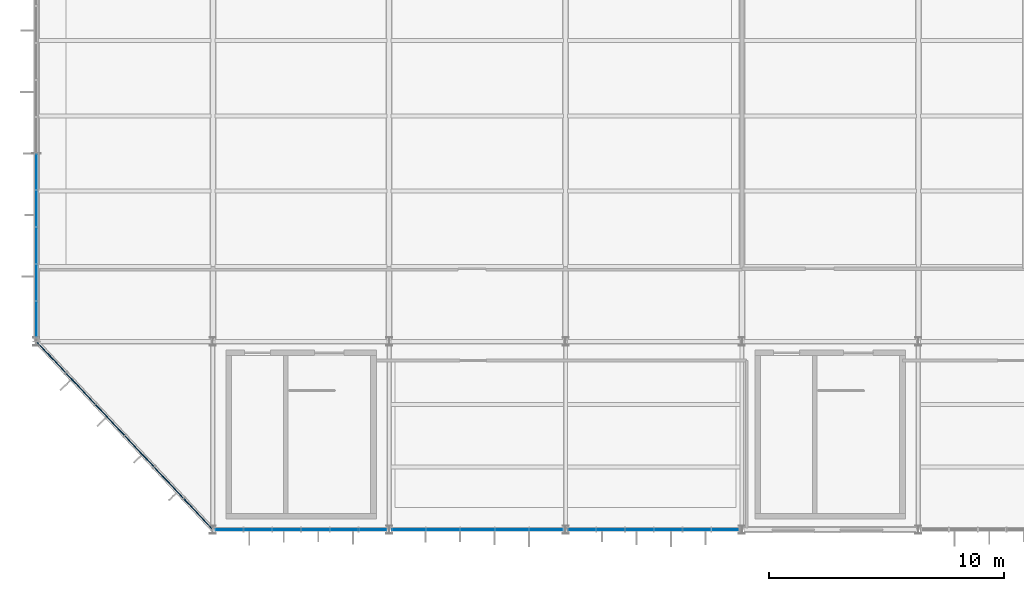
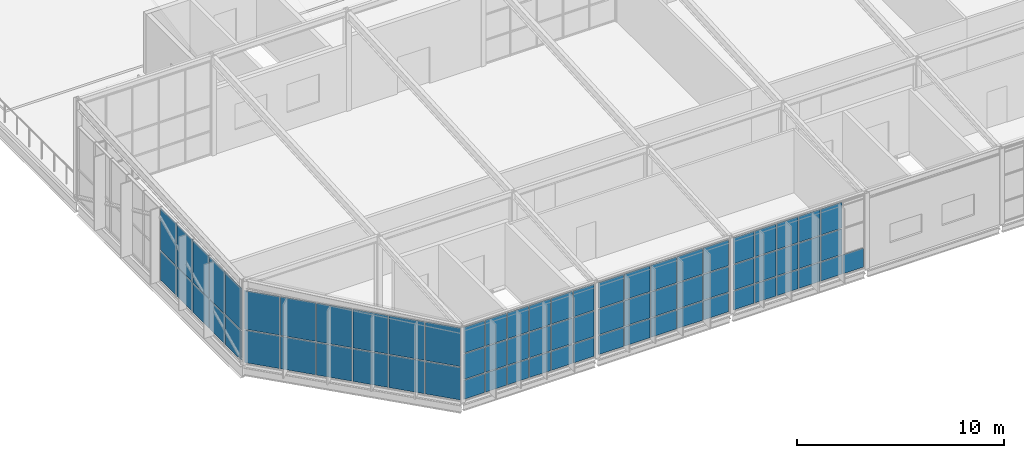
# One storey, part 84 of 104: 71 plates, 5 elements without a shape of their own.
"""IFC4 building model written with IfcOpenShell, lengths in metres."""

from ifc_helpers import new_model, si_unit, direction, frame, origin, origin_2d, place, context, subcontext, project, spatial, rectangle, extrude, material, layer, layer_set, type_object, element, aggregate, save


model = new_model("IFC4")

# Units and contexts
model_context = context("Model", 3, precision=1e-05, world=origin(), true_north=direction((0.0, 1.0)))
body_context = subcontext(model_context, "Body", "Model", "MODEL_VIEW")
ifc_project = project(units=[si_unit("LENGTHUNIT", "METRE"), si_unit("AREAUNIT", "SQUARE_METRE"), si_unit("VOLUMEUNIT", "CUBIC_METRE"), si_unit("PLANEANGLEUNIT", "RADIAN"), si_unit("MASSUNIT", "GRAM", prefix="KILO")], contexts=[model_context])

# Site, building, storey
site_placement = place(None, origin())
site = spatial("IfcSite", under=ifc_project, at=site_placement, CompositionType="ELEMENT")
building_placement = place(site_placement, origin())
building = spatial("IfcBuilding", under=site, at=building_placement, Name="Solvenia Promenade Tram Depot", CompositionType="ELEMENT")
storey_placement = place(building_placement, frame((0.0, 0.0, 9.0)))
storey = spatial("IfcBuildingStorey", under=building, at=storey_placement, Name="L02", CompositionType="ELEMENT", Elevation=9.0)

# Curtain wall, plates
ifc_material_1 = material(Name="Anodized aluminium AW-6063 T6", Category="aluminium")
ifc_layer_1 = layer(ifc_material_1, 0.179931640625, Name="Anodized aluminium AW-6063 T6", Category="aluminium")
ifc_layer_set_1 = layer_set([ifc_layer_1], Name="Anodized aluminium AW-6063 T6")
curtain_wall_type_1 = type_object("IfcCurtainWallType", Name="CW-Prom-1800", PredefinedType="NOTDEFINED", material=ifc_layer_set_1)
curtain_wall_1_placement = place(storey_placement, origin())
curtain_wall_1 = element("IfcCurtainWall", 1, at=curtain_wall_1_placement, inside=storey, type_object=curtain_wall_type_1, Name="L02 West Park Faceted Prow Curtain Wall", PredefinedType="NOTDEFINED")
ifc_material_2 = material(Name="Double low-e argon insulated glass", Category="glass")
ifc_layer_2 = layer(ifc_material_2, 0.035888671875, Name="Double low-e argon insulated glass", Category="glass")
ifc_layer_set_2 = layer_set([ifc_layer_2], Name="Double low-e argon insulated glass")
plate_type = type_object("IfcPlateType", Name="CWP-Panel-3", PredefinedType="CURTAIN_PANEL", material=ifc_layer_set_2)
plate_1_placement = place(storey_placement, frame((0.63330078125, 7.324462890625, 0.057861328125), z_axis=(0.0, 0.0, 1.0), x_axis=(0.683941128881, -0.72953720414, 0.0)))
plate_1 = element("IfcPlate", 2, at=plate_1_placement, type_object=plate_type, Name="CW-9 panel 1.1", PredefinedType="CURTAIN_PANEL", context=body_context, shape_type="SweptSolid", body=[
    extrude(rectangle(XDim=1.755615234375, YDim=0.035888671875, at=origin_2d()), origin(), (0.0, 0.0, 1.0), 1.9130859375),
])
plate_2_placement = place(storey_placement, frame((0.63330078125, 7.324462890625, 2.02880859375), z_axis=(0.0, 0.0, 1.0), x_axis=(0.683941128881, -0.72953720414, 0.0)))
plate_2 = element("IfcPlate", 3, at=plate_2_placement, type_object=plate_type, Name="CW-9 panel 1.2", PredefinedType="CURTAIN_PANEL", context=body_context, shape_type="SweptSolid", body=[
    extrude(rectangle(XDim=1.755615234375, YDim=0.035888671875, at=origin_2d()), origin(), (0.0, 0.0, 1.0), 2.262939453125),
])
plate_3_placement = place(storey_placement, frame((1.875, 6.0, 0.057861328125), z_axis=(0.0, 0.0, 1.0), x_axis=(0.683941128881, -0.72953720414, 0.0)))
plate_3 = element("IfcPlate", 4, at=plate_3_placement, type_object=plate_type, Name="CW-9 panel 2.1", PredefinedType="CURTAIN_PANEL", context=body_context, shape_type="SweptSolid", body=[
    extrude(rectangle(XDim=1.779541015625, YDim=0.035888671875, at=origin_2d()), origin(), (0.0, 0.0, 1.0), 1.9130859375),
])
plate_4_placement = place(storey_placement, frame((1.875, 6.0, 2.02880859375), z_axis=(0.0, 0.0, 1.0), x_axis=(0.683941128881, -0.72953720414, 0.0)))
plate_4 = element("IfcPlate", 5, at=plate_4_placement, type_object=plate_type, Name="CW-9 panel 2.2", PredefinedType="CURTAIN_PANEL", context=body_context, shape_type="SweptSolid", body=[
    extrude(rectangle(XDim=1.779541015625, YDim=0.035888671875, at=origin_2d()), origin(), (0.0, 0.0, 1.0), 2.262939453125),
])
plate_5_placement = place(storey_placement, frame((3.125, 4.666748046875, 0.057861328125), z_axis=(0.0, 0.0, 1.0), x_axis=(0.683941128881, -0.72953720414, 0.0)))
plate_5 = element("IfcPlate", 6, at=plate_5_placement, type_object=plate_type, Name="CW-9 panel 3.1", PredefinedType="CURTAIN_PANEL", context=body_context, shape_type="SweptSolid", body=[
    extrude(rectangle(XDim=1.779541015625, YDim=0.035888671875, at=origin_2d()), origin(), (0.0, 0.0, 1.0), 1.9130859375),
])
plate_6_placement = place(storey_placement, frame((3.125, 4.666748046875, 2.02880859375), z_axis=(0.0, 0.0, 1.0), x_axis=(0.683941128881, -0.72953720414, 0.0)))
plate_6 = element("IfcPlate", 7, at=plate_6_placement, type_object=plate_type, Name="CW-9 panel 3.2", PredefinedType="CURTAIN_PANEL", context=body_context, shape_type="SweptSolid", body=[
    extrude(rectangle(XDim=1.779541015625, YDim=0.035888671875, at=origin_2d()), origin(), (0.0, 0.0, 1.0), 2.262939453125),
])
plate_7_placement = place(storey_placement, frame((4.375, 3.333251953125, 0.057861328125), z_axis=(0.0, 0.0, 1.0), x_axis=(0.683941128881, -0.72953720414, 0.0)))
plate_7 = element("IfcPlate", 8, at=plate_7_placement, type_object=plate_type, Name="CW-9 panel 4.1", PredefinedType="CURTAIN_PANEL", context=body_context, shape_type="SweptSolid", body=[
    extrude(rectangle(XDim=1.779541015625, YDim=0.035888671875, at=origin_2d()), origin(), (0.0, 0.0, 1.0), 1.9130859375),
])
plate_8_placement = place(storey_placement, frame((4.375, 3.333251953125, 2.02880859375), z_axis=(0.0, 0.0, 1.0), x_axis=(0.683941128881, -0.72953720414, 0.0)))
plate_8 = element("IfcPlate", 9, at=plate_8_placement, type_object=plate_type, Name="CW-9 panel 4.2", PredefinedType="CURTAIN_PANEL", context=body_context, shape_type="SweptSolid", body=[
    extrude(rectangle(XDim=1.779541015625, YDim=0.035888671875, at=origin_2d()), origin(), (0.0, 0.0, 1.0), 2.262939453125),
])
plate_9_placement = place(storey_placement, frame((5.625, 2.0, 0.057861328125), z_axis=(0.0, 0.0, 1.0), x_axis=(0.683941128881, -0.72953720414, 0.0)))
plate_9 = element("IfcPlate", 10, at=plate_9_placement, type_object=plate_type, Name="CW-9 panel 5.1", PredefinedType="CURTAIN_PANEL", context=body_context, shape_type="SweptSolid", body=[
    extrude(rectangle(XDim=1.779541015625, YDim=0.035888671875, at=origin_2d()), origin(), (0.0, 0.0, 1.0), 1.9130859375),
])
plate_10_placement = place(storey_placement, frame((5.625, 2.0, 2.02880859375), z_axis=(0.0, 0.0, 1.0), x_axis=(0.683941128881, -0.72953720414, 0.0)))
plate_10 = element("IfcPlate", 11, at=plate_10_placement, type_object=plate_type, Name="CW-9 panel 5.2", PredefinedType="CURTAIN_PANEL", context=body_context, shape_type="SweptSolid", body=[
    extrude(rectangle(XDim=1.779541015625, YDim=0.035888671875, at=origin_2d()), origin(), (0.0, 0.0, 1.0), 2.262939453125),
])
plate_11_placement = place(storey_placement, frame((6.86669921875, 0.675537109375, 0.057861328125), z_axis=(0.0, 0.0, 1.0), x_axis=(0.683941128881, -0.72953720414, 0.0)))
plate_11 = element("IfcPlate", 12, at=plate_11_placement, type_object=plate_type, Name="CW-9 panel 6.1", PredefinedType="CURTAIN_PANEL", context=body_context, shape_type="SweptSolid", body=[
    extrude(rectangle(XDim=1.755615234375, YDim=0.035888671875, at=origin_2d()), origin(), (0.0, 0.0, 1.0), 1.9130859375),
])
plate_12_placement = place(storey_placement, frame((6.86669921875, 0.675537109375, 2.02880859375), z_axis=(0.0, 0.0, 1.0), x_axis=(0.683941128881, -0.72953720414, 0.0)))
plate_12 = element("IfcPlate", 13, at=plate_12_placement, type_object=plate_type, Name="CW-9 panel 6.2", PredefinedType="CURTAIN_PANEL", context=body_context, shape_type="SweptSolid", body=[
    extrude(rectangle(XDim=1.755615234375, YDim=0.035888671875, at=origin_2d()), origin(), (0.0, 0.0, 1.0), 2.262939453125),
])
aggregate(curtain_wall_1, [plate_1, plate_2, plate_3, plate_4, plate_5, plate_6, plate_7, plate_8, plate_9, plate_10, plate_11, plate_12])

ifc_layer_3 = layer(ifc_material_1, 0.179931640625, Name="Anodized aluminium AW-6063 T6", Category="aluminium")
ifc_layer_set_3 = layer_set([ifc_layer_3], Name="Anodized aluminium AW-6063 T6")
curtain_wall_type_2 = type_object("IfcCurtainWallType", Name="CW-Solar-1250", PredefinedType="NOTDEFINED", material=ifc_layer_set_3)
curtain_wall_2_placement = place(storey_placement, origin())
curtain_wall_2 = element("IfcCurtainWall", 14, at=curtain_wall_2_placement, inside=storey, type_object=curtain_wall_type_2, Name="Curtain Wall CW-V4S-L02-01", PredefinedType="NOTDEFINED")
plate_13_placement = place(storey_placement, frame((8.20361328125, 0.0, 0.05810546875), z_axis=(0.0, 0.0, 1.0), x_axis=(1.0, 0.0, 0.0)))
plate_13 = element("IfcPlate", 15, at=plate_13_placement, type_object=plate_type, Name="CW-6 panel 1.1", PredefinedType="CURTAIN_PANEL", context=body_context, shape_type="SweptSolid", body=[
    extrude(rectangle(XDim=1.1513671875, YDim=0.035888671875, at=origin_2d()), origin(), (0.0, 0.0, 1.0), 1.113037109375),
])
plate_14_placement = place(storey_placement, frame((8.20361328125, 0.0, 1.22900390625), z_axis=(0.0, 0.0, 1.0), x_axis=(1.0, 0.0, 0.0)))
plate_14 = element("IfcPlate", 16, at=plate_14_placement, type_object=plate_type, Name="CW-6 panel 1.2", PredefinedType="CURTAIN_PANEL", context=body_context, shape_type="SweptSolid", body=[
    extrude(rectangle(XDim=1.1513671875, YDim=0.035888671875, at=origin_2d()), origin(), (0.0, 0.0, 1.0), 1.491943359375),
])
plate_15_placement = place(storey_placement, frame((8.20361328125, 0.0, 2.77880859375), z_axis=(0.0, 0.0, 1.0), x_axis=(1.0, 0.0, 0.0)))
plate_15 = element("IfcPlate", 17, at=plate_15_placement, type_object=plate_type, Name="CW-6 panel 1.3", PredefinedType="CURTAIN_PANEL", context=body_context, shape_type="SweptSolid", body=[
    extrude(rectangle(XDim=1.1513671875, YDim=0.035888671875, at=origin_2d()), origin(), (0.0, 0.0, 1.0), 1.512939453125),
])
plate_16_placement = place(storey_placement, frame((9.4150390625, 0.0, 0.05810546875), z_axis=(0.0, 0.0, 1.0), x_axis=(1.0, 0.0, 0.0)))
plate_16 = element("IfcPlate", 18, at=plate_16_placement, type_object=plate_type, Name="CW-6 panel 2.1", PredefinedType="CURTAIN_PANEL", context=body_context, shape_type="SweptSolid", body=[
    extrude(rectangle(XDim=1.17529296875, YDim=0.035888671875, at=origin_2d()), origin(), (0.0, 0.0, 1.0), 1.113037109375),
])
plate_17_placement = place(storey_placement, frame((9.4150390625, 0.0, 1.22900390625), z_axis=(0.0, 0.0, 1.0), x_axis=(1.0, 0.0, 0.0)))
plate_17 = element("IfcPlate", 19, at=plate_17_placement, type_object=plate_type, Name="CW-6 panel 2.2", PredefinedType="CURTAIN_PANEL", context=body_context, shape_type="SweptSolid", body=[
    extrude(rectangle(XDim=1.17529296875, YDim=0.035888671875, at=origin_2d()), origin(), (0.0, 0.0, 1.0), 1.491943359375),
])
plate_18_placement = place(storey_placement, frame((9.4150390625, 0.0, 2.77880859375), z_axis=(0.0, 0.0, 1.0), x_axis=(1.0, 0.0, 0.0)))
plate_18 = element("IfcPlate", 20, at=plate_18_placement, type_object=plate_type, Name="CW-6 panel 2.3", PredefinedType="CURTAIN_PANEL", context=body_context, shape_type="SweptSolid", body=[
    extrude(rectangle(XDim=1.17529296875, YDim=0.035888671875, at=origin_2d()), origin(), (0.0, 0.0, 1.0), 1.512939453125),
])
plate_19_placement = place(storey_placement, frame((10.638427734375, 0.0, 0.05810546875), z_axis=(0.0, 0.0, 1.0), x_axis=(1.0, 0.0, 0.0)))
plate_19 = element("IfcPlate", 21, at=plate_19_placement, type_object=plate_type, Name="CW-6 panel 3.1", PredefinedType="CURTAIN_PANEL", context=body_context, shape_type="SweptSolid", body=[
    extrude(rectangle(XDim=1.17529296875, YDim=0.035888671875, at=origin_2d()), origin(), (0.0, 0.0, 1.0), 1.113037109375),
])
plate_20_placement = place(storey_placement, frame((10.638427734375, 0.0, 1.22900390625), z_axis=(0.0, 0.0, 1.0), x_axis=(1.0, 0.0, 0.0)))
plate_20 = element("IfcPlate", 22, at=plate_20_placement, type_object=plate_type, Name="CW-6 panel 3.2", PredefinedType="CURTAIN_PANEL", context=body_context, shape_type="SweptSolid", body=[
    extrude(rectangle(XDim=1.17529296875, YDim=0.035888671875, at=origin_2d()), origin(), (0.0, 0.0, 1.0), 1.491943359375),
])
plate_21_placement = place(storey_placement, frame((10.638427734375, 0.0, 2.77880859375), z_axis=(0.0, 0.0, 1.0), x_axis=(1.0, 0.0, 0.0)))
plate_21 = element("IfcPlate", 23, at=plate_21_placement, type_object=plate_type, Name="CW-6 panel 3.3", PredefinedType="CURTAIN_PANEL", context=body_context, shape_type="SweptSolid", body=[
    extrude(rectangle(XDim=1.17529296875, YDim=0.035888671875, at=origin_2d()), origin(), (0.0, 0.0, 1.0), 1.512939453125),
])
plate_22_placement = place(storey_placement, frame((11.861572265625, 0.0, 0.05810546875), z_axis=(0.0, 0.0, 1.0), x_axis=(1.0, 0.0, 0.0)))
plate_22 = element("IfcPlate", 24, at=plate_22_placement, type_object=plate_type, Name="CW-6 panel 4.1", PredefinedType="CURTAIN_PANEL", context=body_context, shape_type="SweptSolid", body=[
    extrude(rectangle(XDim=1.17529296875, YDim=0.035888671875, at=origin_2d()), origin(), (0.0, 0.0, 1.0), 1.113037109375),
])
plate_23_placement = place(storey_placement, frame((11.861572265625, 0.0, 1.22900390625), z_axis=(0.0, 0.0, 1.0), x_axis=(1.0, 0.0, 0.0)))
plate_23 = element("IfcPlate", 25, at=plate_23_placement, type_object=plate_type, Name="CW-6 panel 4.2", PredefinedType="CURTAIN_PANEL", context=body_context, shape_type="SweptSolid", body=[
    extrude(rectangle(XDim=1.17529296875, YDim=0.035888671875, at=origin_2d()), origin(), (0.0, 0.0, 1.0), 1.491943359375),
])
plate_24_placement = place(storey_placement, frame((11.861572265625, 0.0, 2.77880859375), z_axis=(0.0, 0.0, 1.0), x_axis=(1.0, 0.0, 0.0)))
plate_24 = element("IfcPlate", 26, at=plate_24_placement, type_object=plate_type, Name="CW-6 panel 4.3", PredefinedType="CURTAIN_PANEL", context=body_context, shape_type="SweptSolid", body=[
    extrude(rectangle(XDim=1.17529296875, YDim=0.035888671875, at=origin_2d()), origin(), (0.0, 0.0, 1.0), 1.512939453125),
])
plate_25_placement = place(storey_placement, frame((13.0849609375, 0.0, 0.05810546875), z_axis=(0.0, 0.0, 1.0), x_axis=(1.0, 0.0, 0.0)))
plate_25 = element("IfcPlate", 27, at=plate_25_placement, type_object=plate_type, Name="CW-6 panel 5.1", PredefinedType="CURTAIN_PANEL", context=body_context, shape_type="SweptSolid", body=[
    extrude(rectangle(XDim=1.17529296875, YDim=0.035888671875, at=origin_2d()), origin(), (0.0, 0.0, 1.0), 1.113037109375),
])
plate_26_placement = place(storey_placement, frame((13.0849609375, 0.0, 1.22900390625), z_axis=(0.0, 0.0, 1.0), x_axis=(1.0, 0.0, 0.0)))
plate_26 = element("IfcPlate", 28, at=plate_26_placement, type_object=plate_type, Name="CW-6 panel 5.2", PredefinedType="CURTAIN_PANEL", context=body_context, shape_type="SweptSolid", body=[
    extrude(rectangle(XDim=1.17529296875, YDim=0.035888671875, at=origin_2d()), origin(), (0.0, 0.0, 1.0), 1.491943359375),
])
plate_27_placement = place(storey_placement, frame((13.0849609375, 0.0, 2.77880859375), z_axis=(0.0, 0.0, 1.0), x_axis=(1.0, 0.0, 0.0)))
plate_27 = element("IfcPlate", 29, at=plate_27_placement, type_object=plate_type, Name="CW-6 panel 5.3", PredefinedType="CURTAIN_PANEL", context=body_context, shape_type="SweptSolid", body=[
    extrude(rectangle(XDim=1.17529296875, YDim=0.035888671875, at=origin_2d()), origin(), (0.0, 0.0, 1.0), 1.512939453125),
])
plate_28_placement = place(storey_placement, frame((14.29638671875, 0.0, 0.05810546875), z_axis=(0.0, 0.0, 1.0), x_axis=(1.0, 0.0, 0.0)))
plate_28 = element("IfcPlate", 30, at=plate_28_placement, type_object=plate_type, Name="CW-6 panel 6.1", PredefinedType="CURTAIN_PANEL", context=body_context, shape_type="SweptSolid", body=[
    extrude(rectangle(XDim=1.1513671875, YDim=0.035888671875, at=origin_2d()), origin(), (0.0, 0.0, 1.0), 1.113037109375),
])
plate_29_placement = place(storey_placement, frame((14.29638671875, 0.0, 1.22900390625), z_axis=(0.0, 0.0, 1.0), x_axis=(1.0, 0.0, 0.0)))
plate_29 = element("IfcPlate", 31, at=plate_29_placement, type_object=plate_type, Name="CW-6 panel 6.2", PredefinedType="CURTAIN_PANEL", context=body_context, shape_type="SweptSolid", body=[
    extrude(rectangle(XDim=1.1513671875, YDim=0.035888671875, at=origin_2d()), origin(), (0.0, 0.0, 1.0), 1.491943359375),
])
plate_30_placement = place(storey_placement, frame((14.29638671875, 0.0, 2.77880859375), z_axis=(0.0, 0.0, 1.0), x_axis=(1.0, 0.0, 0.0)))
plate_30 = element("IfcPlate", 32, at=plate_30_placement, type_object=plate_type, Name="CW-6 panel 6.3", PredefinedType="CURTAIN_PANEL", context=body_context, shape_type="SweptSolid", body=[
    extrude(rectangle(XDim=1.1513671875, YDim=0.035888671875, at=origin_2d()), origin(), (0.0, 0.0, 1.0), 1.512939453125),
])
aggregate(curtain_wall_2, [plate_13, plate_14, plate_15, plate_16, plate_17, plate_18, plate_19, plate_20, plate_21, plate_22, plate_23, plate_24, plate_25, plate_26, plate_27, plate_28, plate_29, plate_30])

ifc_layer_4 = layer(ifc_material_1, 0.179931640625, Name="Anodized aluminium AW-6063 T6", Category="aluminium")
ifc_layer_set_4 = layer_set([ifc_layer_4], Name="Anodized aluminium AW-6063 T6")
curtain_wall_type_3 = type_object("IfcCurtainWallType", Name="CW-Solar-1500", PredefinedType="NOTDEFINED", material=ifc_layer_set_4)
curtain_wall_3_placement = place(storey_placement, origin())
curtain_wall_3 = element("IfcCurtainWall", 33, at=curtain_wall_3_placement, inside=storey, type_object=curtain_wall_type_3, Name="Curtain Wall CW-V4S-L02-02", PredefinedType="NOTDEFINED")
plate_31_placement = place(storey_placement, frame((15.825927734375, 0.0, 0.05810546875), z_axis=(0.0, 0.0, 1.0), x_axis=(1.0, 0.0, 0.0)))
plate_31 = element("IfcPlate", 34, at=plate_31_placement, type_object=plate_type, Name="CW-7 panel 1.1", PredefinedType="CURTAIN_PANEL", context=body_context, shape_type="SweptSolid", body=[
    extrude(rectangle(XDim=1.39599609375, YDim=0.035888671875, at=origin_2d()), origin(), (0.0, 0.0, 1.0), 1.113037109375),
])
plate_32_placement = place(storey_placement, frame((15.825927734375, 0.0, 1.22900390625), z_axis=(0.0, 0.0, 1.0), x_axis=(1.0, 0.0, 0.0)))
plate_32 = element("IfcPlate", 35, at=plate_32_placement, type_object=plate_type, Name="CW-7 panel 1.2", PredefinedType="CURTAIN_PANEL", context=body_context, shape_type="SweptSolid", body=[
    extrude(rectangle(XDim=1.39599609375, YDim=0.035888671875, at=origin_2d()), origin(), (0.0, 0.0, 1.0), 1.491943359375),
])
plate_33_placement = place(storey_placement, frame((15.825927734375, 0.0, 2.77880859375), z_axis=(0.0, 0.0, 1.0), x_axis=(1.0, 0.0, 0.0)))
plate_33 = element("IfcPlate", 36, at=plate_33_placement, type_object=plate_type, Name="CW-7 panel 1.3", PredefinedType="CURTAIN_PANEL", context=body_context, shape_type="SweptSolid", body=[
    extrude(rectangle(XDim=1.39599609375, YDim=0.035888671875, at=origin_2d()), origin(), (0.0, 0.0, 1.0), 1.512939453125),
])
plate_34_placement = place(storey_placement, frame((17.281982421875, 0.0, 0.05810546875), z_axis=(0.0, 0.0, 1.0), x_axis=(1.0, 0.0, 0.0)))
plate_34 = element("IfcPlate", 37, at=plate_34_placement, type_object=plate_type, Name="CW-7 panel 2.1", PredefinedType="CURTAIN_PANEL", context=body_context, shape_type="SweptSolid", body=[
    extrude(rectangle(XDim=1.419921875, YDim=0.035888671875, at=origin_2d()), origin(), (0.0, 0.0, 1.0), 1.113037109375),
])
plate_35_placement = place(storey_placement, frame((17.281982421875, 0.0, 1.22900390625), z_axis=(0.0, 0.0, 1.0), x_axis=(1.0, 0.0, 0.0)))
plate_35 = element("IfcPlate", 38, at=plate_35_placement, type_object=plate_type, Name="CW-7 panel 2.2", PredefinedType="CURTAIN_PANEL", context=body_context, shape_type="SweptSolid", body=[
    extrude(rectangle(XDim=1.419921875, YDim=0.035888671875, at=origin_2d()), origin(), (0.0, 0.0, 1.0), 1.491943359375),
])
plate_36_placement = place(storey_placement, frame((17.281982421875, 0.0, 2.77880859375), z_axis=(0.0, 0.0, 1.0), x_axis=(1.0, 0.0, 0.0)))
plate_36 = element("IfcPlate", 39, at=plate_36_placement, type_object=plate_type, Name="CW-7 panel 2.3", PredefinedType="CURTAIN_PANEL", context=body_context, shape_type="SweptSolid", body=[
    extrude(rectangle(XDim=1.419921875, YDim=0.035888671875, at=origin_2d()), origin(), (0.0, 0.0, 1.0), 1.512939453125),
])
plate_37_placement = place(storey_placement, frame((18.75, 0.0, 0.05810546875), z_axis=(0.0, 0.0, 1.0), x_axis=(1.0, 0.0, 0.0)))
plate_37 = element("IfcPlate", 40, at=plate_37_placement, type_object=plate_type, Name="CW-7 panel 3.1", PredefinedType="CURTAIN_PANEL", context=body_context, shape_type="SweptSolid", body=[
    extrude(rectangle(XDim=1.419921875, YDim=0.035888671875, at=origin_2d()), origin(), (0.0, 0.0, 1.0), 1.113037109375),
])
plate_38_placement = place(storey_placement, frame((18.75, 0.0, 1.22900390625), z_axis=(0.0, 0.0, 1.0), x_axis=(1.0, 0.0, 0.0)))
plate_38 = element("IfcPlate", 41, at=plate_38_placement, type_object=plate_type, Name="CW-7 panel 3.2", PredefinedType="CURTAIN_PANEL", context=body_context, shape_type="SweptSolid", body=[
    extrude(rectangle(XDim=1.419921875, YDim=0.035888671875, at=origin_2d()), origin(), (0.0, 0.0, 1.0), 1.491943359375),
])
plate_39_placement = place(storey_placement, frame((18.75, 0.0, 2.77880859375), z_axis=(0.0, 0.0, 1.0), x_axis=(1.0, 0.0, 0.0)))
plate_39 = element("IfcPlate", 42, at=plate_39_placement, type_object=plate_type, Name="CW-7 panel 3.3", PredefinedType="CURTAIN_PANEL", context=body_context, shape_type="SweptSolid", body=[
    extrude(rectangle(XDim=1.419921875, YDim=0.035888671875, at=origin_2d()), origin(), (0.0, 0.0, 1.0), 1.512939453125),
])
plate_40_placement = place(storey_placement, frame((20.218017578125, 0.0, 0.05810546875), z_axis=(0.0, 0.0, 1.0), x_axis=(1.0, 0.0, 0.0)))
plate_40 = element("IfcPlate", 43, at=plate_40_placement, type_object=plate_type, Name="CW-7 panel 4.1", PredefinedType="CURTAIN_PANEL", context=body_context, shape_type="SweptSolid", body=[
    extrude(rectangle(XDim=1.419921875, YDim=0.035888671875, at=origin_2d()), origin(), (0.0, 0.0, 1.0), 1.113037109375),
])
plate_41_placement = place(storey_placement, frame((20.218017578125, 0.0, 1.22900390625), z_axis=(0.0, 0.0, 1.0), x_axis=(1.0, 0.0, 0.0)))
plate_41 = element("IfcPlate", 44, at=plate_41_placement, type_object=plate_type, Name="CW-7 panel 4.2", PredefinedType="CURTAIN_PANEL", context=body_context, shape_type="SweptSolid", body=[
    extrude(rectangle(XDim=1.419921875, YDim=0.035888671875, at=origin_2d()), origin(), (0.0, 0.0, 1.0), 1.491943359375),
])
plate_42_placement = place(storey_placement, frame((20.218017578125, 0.0, 2.77880859375), z_axis=(0.0, 0.0, 1.0), x_axis=(1.0, 0.0, 0.0)))
plate_42 = element("IfcPlate", 45, at=plate_42_placement, type_object=plate_type, Name="CW-7 panel 4.3", PredefinedType="CURTAIN_PANEL", context=body_context, shape_type="SweptSolid", body=[
    extrude(rectangle(XDim=1.419921875, YDim=0.035888671875, at=origin_2d()), origin(), (0.0, 0.0, 1.0), 1.512939453125),
])
plate_43_placement = place(storey_placement, frame((21.674072265625, 0.0, 0.05810546875), z_axis=(0.0, 0.0, 1.0), x_axis=(1.0, 0.0, 0.0)))
plate_43 = element("IfcPlate", 46, at=plate_43_placement, type_object=plate_type, Name="CW-7 panel 5.1", PredefinedType="CURTAIN_PANEL", context=body_context, shape_type="SweptSolid", body=[
    extrude(rectangle(XDim=1.39599609375, YDim=0.035888671875, at=origin_2d()), origin(), (0.0, 0.0, 1.0), 1.113037109375),
])
plate_44_placement = place(storey_placement, frame((21.674072265625, 0.0, 1.22900390625), z_axis=(0.0, 0.0, 1.0), x_axis=(1.0, 0.0, 0.0)))
plate_44 = element("IfcPlate", 47, at=plate_44_placement, type_object=plate_type, Name="CW-7 panel 5.2", PredefinedType="CURTAIN_PANEL", context=body_context, shape_type="SweptSolid", body=[
    extrude(rectangle(XDim=1.39599609375, YDim=0.035888671875, at=origin_2d()), origin(), (0.0, 0.0, 1.0), 1.491943359375),
])
plate_45_placement = place(storey_placement, frame((21.674072265625, 0.0, 2.77880859375), z_axis=(0.0, 0.0, 1.0), x_axis=(1.0, 0.0, 0.0)))
plate_45 = element("IfcPlate", 48, at=plate_45_placement, type_object=plate_type, Name="CW-7 panel 5.3", PredefinedType="CURTAIN_PANEL", context=body_context, shape_type="SweptSolid", body=[
    extrude(rectangle(XDim=1.39599609375, YDim=0.035888671875, at=origin_2d()), origin(), (0.0, 0.0, 1.0), 1.512939453125),
])
aggregate(curtain_wall_3, [plate_31, plate_32, plate_33, plate_34, plate_35, plate_36, plate_37, plate_38, plate_39, plate_40, plate_41, plate_42, plate_43, plate_44, plate_45])

curtain_wall_4_placement = place(storey_placement, origin())
curtain_wall_4 = element("IfcCurtainWall", 49, at=curtain_wall_4_placement, inside=storey, type_object=curtain_wall_type_2, Name="Curtain Wall CW-V4S-L02-03", PredefinedType="NOTDEFINED")
plate_46_placement = place(storey_placement, frame((23.20361328125, 0.0, 0.05810546875), z_axis=(0.0, 0.0, 1.0), x_axis=(1.0, 0.0, 0.0)))
plate_46 = element("IfcPlate", 50, at=plate_46_placement, type_object=plate_type, Name="CW-6 panel 1.1", PredefinedType="CURTAIN_PANEL", context=body_context, shape_type="SweptSolid", body=[
    extrude(rectangle(XDim=1.1513671875, YDim=0.035888671875, at=origin_2d()), origin(), (0.0, 0.0, 1.0), 1.113037109375),
])
plate_47_placement = place(storey_placement, frame((23.20361328125, 0.0, 1.22900390625), z_axis=(0.0, 0.0, 1.0), x_axis=(1.0, 0.0, 0.0)))
plate_47 = element("IfcPlate", 51, at=plate_47_placement, type_object=plate_type, Name="CW-6 panel 1.2", PredefinedType="CURTAIN_PANEL", context=body_context, shape_type="SweptSolid", body=[
    extrude(rectangle(XDim=1.1513671875, YDim=0.035888671875, at=origin_2d()), origin(), (0.0, 0.0, 1.0), 1.491943359375),
])
plate_48_placement = place(storey_placement, frame((23.20361328125, 0.0, 2.77880859375), z_axis=(0.0, 0.0, 1.0), x_axis=(1.0, 0.0, 0.0)))
plate_48 = element("IfcPlate", 52, at=plate_48_placement, type_object=plate_type, Name="CW-6 panel 1.3", PredefinedType="CURTAIN_PANEL", context=body_context, shape_type="SweptSolid", body=[
    extrude(rectangle(XDim=1.1513671875, YDim=0.035888671875, at=origin_2d()), origin(), (0.0, 0.0, 1.0), 1.512939453125),
])
plate_49_placement = place(storey_placement, frame((24.4150390625, 0.0, 0.05810546875), z_axis=(0.0, 0.0, 1.0), x_axis=(1.0, 0.0, 0.0)))
plate_49 = element("IfcPlate", 53, at=plate_49_placement, type_object=plate_type, Name="CW-6 panel 2.1", PredefinedType="CURTAIN_PANEL", context=body_context, shape_type="SweptSolid", body=[
    extrude(rectangle(XDim=1.17529296875, YDim=0.035888671875, at=origin_2d()), origin(), (0.0, 0.0, 1.0), 1.113037109375),
])
plate_50_placement = place(storey_placement, frame((24.4150390625, 0.0, 1.22900390625), z_axis=(0.0, 0.0, 1.0), x_axis=(1.0, 0.0, 0.0)))
plate_50 = element("IfcPlate", 54, at=plate_50_placement, type_object=plate_type, Name="CW-6 panel 2.2", PredefinedType="CURTAIN_PANEL", context=body_context, shape_type="SweptSolid", body=[
    extrude(rectangle(XDim=1.17529296875, YDim=0.035888671875, at=origin_2d()), origin(), (0.0, 0.0, 1.0), 1.491943359375),
])
plate_51_placement = place(storey_placement, frame((24.4150390625, 0.0, 2.77880859375), z_axis=(0.0, 0.0, 1.0), x_axis=(1.0, 0.0, 0.0)))
plate_51 = element("IfcPlate", 55, at=plate_51_placement, type_object=plate_type, Name="CW-6 panel 2.3", PredefinedType="CURTAIN_PANEL", context=body_context, shape_type="SweptSolid", body=[
    extrude(rectangle(XDim=1.17529296875, YDim=0.035888671875, at=origin_2d()), origin(), (0.0, 0.0, 1.0), 1.512939453125),
])
plate_52_placement = place(storey_placement, frame((25.638427734375, 0.0, 0.05810546875), z_axis=(0.0, 0.0, 1.0), x_axis=(1.0, 0.0, 0.0)))
plate_52 = element("IfcPlate", 56, at=plate_52_placement, type_object=plate_type, Name="CW-6 panel 3.1", PredefinedType="CURTAIN_PANEL", context=body_context, shape_type="SweptSolid", body=[
    extrude(rectangle(XDim=1.17529296875, YDim=0.035888671875, at=origin_2d()), origin(), (0.0, 0.0, 1.0), 1.113037109375),
])
plate_53_placement = place(storey_placement, frame((25.638427734375, 0.0, 1.22900390625), z_axis=(0.0, 0.0, 1.0), x_axis=(1.0, 0.0, 0.0)))
plate_53 = element("IfcPlate", 57, at=plate_53_placement, type_object=plate_type, Name="CW-6 panel 3.2", PredefinedType="CURTAIN_PANEL", context=body_context, shape_type="SweptSolid", body=[
    extrude(rectangle(XDim=1.17529296875, YDim=0.035888671875, at=origin_2d()), origin(), (0.0, 0.0, 1.0), 1.491943359375),
])
plate_54_placement = place(storey_placement, frame((25.638427734375, 0.0, 2.77880859375), z_axis=(0.0, 0.0, 1.0), x_axis=(1.0, 0.0, 0.0)))
plate_54 = element("IfcPlate", 58, at=plate_54_placement, type_object=plate_type, Name="CW-6 panel 3.3", PredefinedType="CURTAIN_PANEL", context=body_context, shape_type="SweptSolid", body=[
    extrude(rectangle(XDim=1.17529296875, YDim=0.035888671875, at=origin_2d()), origin(), (0.0, 0.0, 1.0), 1.512939453125),
])
plate_55_placement = place(storey_placement, frame((26.861572265625, 0.0, 0.05810546875), z_axis=(0.0, 0.0, 1.0), x_axis=(1.0, 0.0, 0.0)))
plate_55 = element("IfcPlate", 59, at=plate_55_placement, type_object=plate_type, Name="CW-6 panel 4.1", PredefinedType="CURTAIN_PANEL", context=body_context, shape_type="SweptSolid", body=[
    extrude(rectangle(XDim=1.17529296875, YDim=0.035888671875, at=origin_2d()), origin(), (0.0, 0.0, 1.0), 1.113037109375),
])
plate_56_placement = place(storey_placement, frame((26.861572265625, 0.0, 1.22900390625), z_axis=(0.0, 0.0, 1.0), x_axis=(1.0, 0.0, 0.0)))
plate_56 = element("IfcPlate", 60, at=plate_56_placement, type_object=plate_type, Name="CW-6 panel 4.2", PredefinedType="CURTAIN_PANEL", context=body_context, shape_type="SweptSolid", body=[
    extrude(rectangle(XDim=1.17529296875, YDim=0.035888671875, at=origin_2d()), origin(), (0.0, 0.0, 1.0), 1.491943359375),
])
plate_57_placement = place(storey_placement, frame((26.861572265625, 0.0, 2.77880859375), z_axis=(0.0, 0.0, 1.0), x_axis=(1.0, 0.0, 0.0)))
plate_57 = element("IfcPlate", 61, at=plate_57_placement, type_object=plate_type, Name="CW-6 panel 4.3", PredefinedType="CURTAIN_PANEL", context=body_context, shape_type="SweptSolid", body=[
    extrude(rectangle(XDim=1.17529296875, YDim=0.035888671875, at=origin_2d()), origin(), (0.0, 0.0, 1.0), 1.512939453125),
])
plate_58_placement = place(storey_placement, frame((28.0849609375, 0.0, 0.05810546875), z_axis=(0.0, 0.0, 1.0), x_axis=(1.0, 0.0, 0.0)))
plate_58 = element("IfcPlate", 62, at=plate_58_placement, type_object=plate_type, Name="CW-6 panel 5.1", PredefinedType="CURTAIN_PANEL", context=body_context, shape_type="SweptSolid", body=[
    extrude(rectangle(XDim=1.17529296875, YDim=0.035888671875, at=origin_2d()), origin(), (0.0, 0.0, 1.0), 1.113037109375),
])
plate_59_placement = place(storey_placement, frame((28.0849609375, 0.0, 1.22900390625), z_axis=(0.0, 0.0, 1.0), x_axis=(1.0, 0.0, 0.0)))
plate_59 = element("IfcPlate", 63, at=plate_59_placement, type_object=plate_type, Name="CW-6 panel 5.2", PredefinedType="CURTAIN_PANEL", context=body_context, shape_type="SweptSolid", body=[
    extrude(rectangle(XDim=1.17529296875, YDim=0.035888671875, at=origin_2d()), origin(), (0.0, 0.0, 1.0), 1.491943359375),
])
plate_60_placement = place(storey_placement, frame((28.0849609375, 0.0, 2.77880859375), z_axis=(0.0, 0.0, 1.0), x_axis=(1.0, 0.0, 0.0)))
plate_60 = element("IfcPlate", 64, at=plate_60_placement, type_object=plate_type, Name="CW-6 panel 5.3", PredefinedType="CURTAIN_PANEL", context=body_context, shape_type="SweptSolid", body=[
    extrude(rectangle(XDim=1.17529296875, YDim=0.035888671875, at=origin_2d()), origin(), (0.0, 0.0, 1.0), 1.512939453125),
])
plate_61_placement = place(storey_placement, frame((29.29638671875, 0.0, 0.05810546875), z_axis=(0.0, 0.0, 1.0), x_axis=(1.0, 0.0, 0.0)))
plate_61 = element("IfcPlate", 65, at=plate_61_placement, type_object=plate_type, Name="CW-6 panel 6.1", PredefinedType="CURTAIN_PANEL", context=body_context, shape_type="SweptSolid", body=[
    extrude(rectangle(XDim=1.1513671875, YDim=0.035888671875, at=origin_2d()), origin(), (0.0, 0.0, 1.0), 1.113037109375),
])
aggregate(curtain_wall_4, [plate_46, plate_47, plate_48, plate_49, plate_50, plate_51, plate_52, plate_53, plate_54, plate_55, plate_56, plate_57, plate_58, plate_59, plate_60, plate_61])

curtain_wall_5_placement = place(storey_placement, origin())
curtain_wall_5 = element("IfcCurtainWall", 66, at=curtain_wall_5_placement, inside=storey, type_object=curtain_wall_type_3, Name="Curtain Wall CW-V4W-L02", PredefinedType="NOTDEFINED")
plate_62_placement = place(storey_placement, frame((0.0, 8.947021484375, 0.05810546875), z_axis=(0.0, 0.0, 1.0), x_axis=(0.0, 1.0, 0.0)))
plate_62 = element("IfcPlate", 67, at=plate_62_placement, type_object=plate_type, Name="CW-7 panel 1.1", PredefinedType="CURTAIN_PANEL", context=body_context, shape_type="SweptSolid", body=[
    extrude(rectangle(XDim=1.498046875, YDim=0.035888671875, at=origin_2d()), origin(), (0.0, 0.0, 1.0), 1.712890625),
])
plate_63_placement = place(storey_placement, frame((0.0, 8.947021484375, 1.8291015625), z_axis=(0.0, 0.0, 1.0), x_axis=(0.0, 1.0, 0.0)))
plate_63 = element("IfcPlate", 68, at=plate_63_placement, type_object=plate_type, Name="CW-7 panel 1.2", PredefinedType="CURTAIN_PANEL", context=body_context, shape_type="SweptSolid", body=[
    extrude(rectangle(XDim=1.498046875, YDim=0.035888671875, at=origin_2d()), origin(), (0.0, 0.0, 1.0), 2.462890625),
])
plate_64_placement = place(storey_placement, frame((0.0, 10.5048828125, 0.05810546875), z_axis=(0.0, 0.0, 1.0), x_axis=(0.0, 1.0, 0.0)))
plate_64 = element("IfcPlate", 69, at=plate_64_placement, type_object=plate_type, Name="CW-7 panel 2.1", PredefinedType="CURTAIN_PANEL", context=body_context, shape_type="SweptSolid", body=[
    extrude(rectangle(XDim=1.52197265625, YDim=0.035888671875, at=origin_2d()), origin(), (0.0, 0.0, 1.0), 1.712890625),
])
plate_65_placement = place(storey_placement, frame((0.0, 10.5048828125, 1.8291015625), z_axis=(0.0, 0.0, 1.0), x_axis=(0.0, 1.0, 0.0)))
plate_65 = element("IfcPlate", 70, at=plate_65_placement, type_object=plate_type, Name="CW-7 panel 2.2", PredefinedType="CURTAIN_PANEL", context=body_context, shape_type="SweptSolid", body=[
    extrude(rectangle(XDim=1.52197265625, YDim=0.035888671875, at=origin_2d()), origin(), (0.0, 0.0, 1.0), 2.462890625),
])
plate_66_placement = place(storey_placement, frame((0.0, 12.074951171875, 0.05810546875), z_axis=(0.0, 0.0, 1.0), x_axis=(0.0, 1.0, 0.0)))
plate_66 = element("IfcPlate", 71, at=plate_66_placement, type_object=plate_type, Name="CW-7 panel 3.1", PredefinedType="CURTAIN_PANEL", context=body_context, shape_type="SweptSolid", body=[
    extrude(rectangle(XDim=1.52197265625, YDim=0.035888671875, at=origin_2d()), origin(), (0.0, 0.0, 1.0), 1.712890625),
])
plate_67_placement = place(storey_placement, frame((0.0, 12.074951171875, 1.8291015625), z_axis=(0.0, 0.0, 1.0), x_axis=(0.0, 1.0, 0.0)))
plate_67 = element("IfcPlate", 72, at=plate_67_placement, type_object=plate_type, Name="CW-7 panel 3.2", PredefinedType="CURTAIN_PANEL", context=body_context, shape_type="SweptSolid", body=[
    extrude(rectangle(XDim=1.52197265625, YDim=0.035888671875, at=origin_2d()), origin(), (0.0, 0.0, 1.0), 2.462890625),
])
plate_68_placement = place(storey_placement, frame((0.0, 13.64501953125, 0.05810546875), z_axis=(0.0, 0.0, 1.0), x_axis=(0.0, 1.0, 0.0)))
plate_68 = element("IfcPlate", 73, at=plate_68_placement, type_object=plate_type, Name="CW-7 panel 4.1", PredefinedType="CURTAIN_PANEL", context=body_context, shape_type="SweptSolid", body=[
    extrude(rectangle(XDim=1.52197265625, YDim=0.035888671875, at=origin_2d()), origin(), (0.0, 0.0, 1.0), 1.712890625),
])
plate_69_placement = place(storey_placement, frame((0.0, 13.64501953125, 1.8291015625), z_axis=(0.0, 0.0, 1.0), x_axis=(0.0, 1.0, 0.0)))
plate_69 = element("IfcPlate", 74, at=plate_69_placement, type_object=plate_type, Name="CW-7 panel 4.2", PredefinedType="CURTAIN_PANEL", context=body_context, shape_type="SweptSolid", body=[
    extrude(rectangle(XDim=1.52197265625, YDim=0.035888671875, at=origin_2d()), origin(), (0.0, 0.0, 1.0), 2.462890625),
])
plate_70_placement = place(storey_placement, frame((0.0, 15.215087890625, 0.05810546875), z_axis=(0.0, 0.0, 1.0), x_axis=(0.0, 1.0, 0.0)))
plate_70 = element("IfcPlate", 75, at=plate_70_placement, type_object=plate_type, Name="CW-7 panel 5.1", PredefinedType="CURTAIN_PANEL", context=body_context, shape_type="SweptSolid", body=[
    extrude(rectangle(XDim=1.52197265625, YDim=0.035888671875, at=origin_2d()), origin(), (0.0, 0.0, 1.0), 1.712890625),
])
plate_71_placement = place(storey_placement, frame((0.0, 15.215087890625, 1.8291015625), z_axis=(0.0, 0.0, 1.0), x_axis=(0.0, 1.0, 0.0)))
plate_71 = element("IfcPlate", 76, at=plate_71_placement, type_object=plate_type, Name="CW-7 panel 5.2", PredefinedType="CURTAIN_PANEL", context=body_context, shape_type="SweptSolid", body=[
    extrude(rectangle(XDim=1.52197265625, YDim=0.035888671875, at=origin_2d()), origin(), (0.0, 0.0, 1.0), 2.462890625),
])
aggregate(curtain_wall_5, [plate_62, plate_63, plate_64, plate_65, plate_66, plate_67, plate_68, plate_69, plate_70, plate_71])

save(model, "model.ifc")
